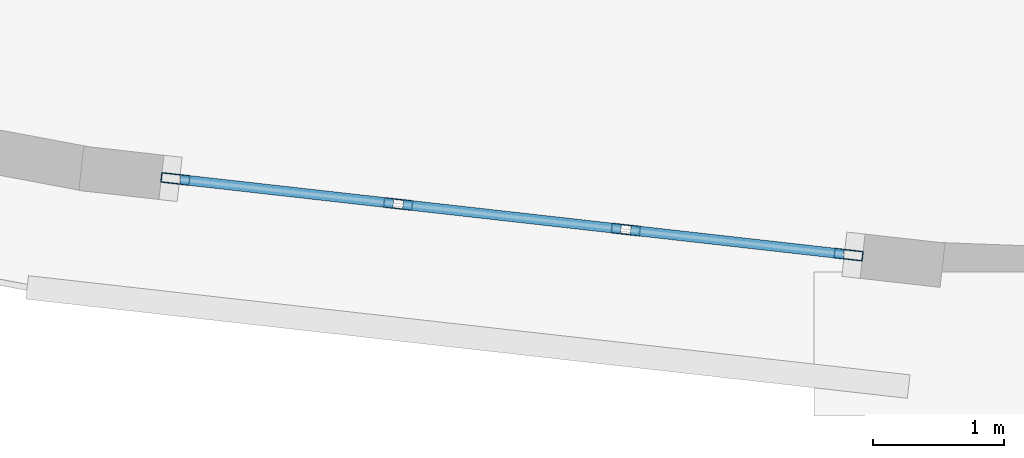
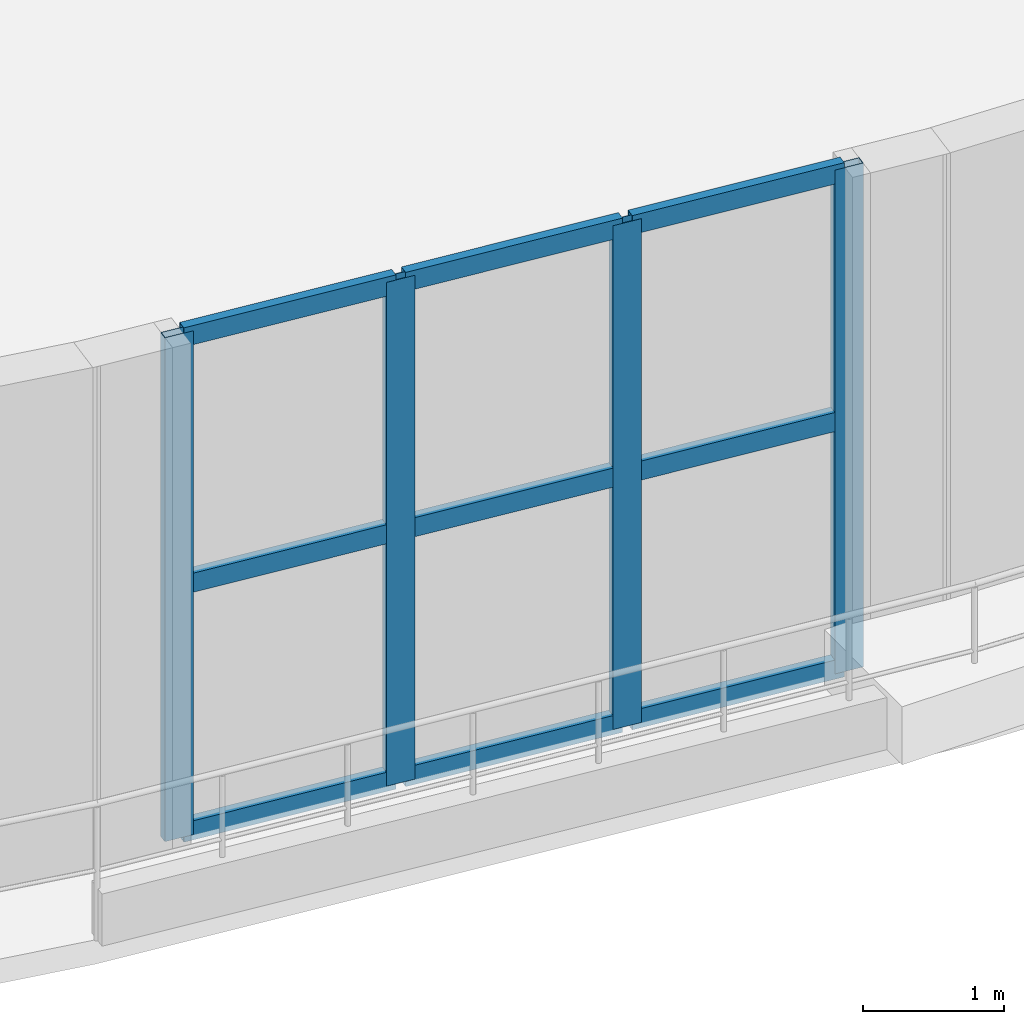
# One storey, part 4 of 19: 13 members, 1 element without a shape of its own.
"""IFC4 building model written with IfcOpenShell, lengths in metres."""

from ifc_helpers import new_model, si_unit, direction, frame, origin, origin_2d, place, context, subcontext, project, spatial, hollow_rectangle, extrude, material, layer, layer_set, material_profile, profile_set, type_object, element, aggregate, save


model = new_model("IFC4")

# Units and contexts
model_context = context("Model", 3, precision=1e-05, world=origin(), true_north=direction((0.0, 1.0)))
body_context = subcontext(model_context, "Body", "Model", "MODEL_VIEW")
ifc_project = project(units=[si_unit("LENGTHUNIT", "METRE"), si_unit("AREAUNIT", "SQUARE_METRE"), si_unit("VOLUMEUNIT", "CUBIC_METRE"), si_unit("PLANEANGLEUNIT", "RADIAN"), si_unit("MASSUNIT", "GRAM", prefix="KILO")], contexts=[model_context])

# Site, building, storey
site_placement = place(None, origin())
site = spatial("IfcSite", under=ifc_project, at=site_placement, CompositionType="ELEMENT")
building_placement = place(site_placement, origin())
building = spatial("IfcBuilding", under=site, at=building_placement, Name="Miruveldt Soraemaru", CompositionType="ELEMENT")
storey_placement = place(building_placement, frame((0.0, 0.0, 19.199951171875)))
storey = spatial("IfcBuildingStorey", under=building, at=storey_placement, Name="L05", CompositionType="ELEMENT", Elevation=19.199951171875)

# Curtain wall, members
ifc_material = material(Name="Anodised aluminium EN AW-6063 T6", Category="aluminium")
ifc_layer = layer(ifc_material, 0.219970703125, Name="Anodised aluminium EN AW-6063 T6", Category="aluminium")
ifc_layer_set = layer_set([ifc_layer], Name="Anodised aluminium EN AW-6063 T6")
curtain_wall_type = type_object("IfcCurtainWallType", Name="CW-SYS-2", PredefinedType="USERDEFINED", material=ifc_layer_set)
curtain_wall_placement = place(storey_placement, origin())
curtain_wall = element("IfcCurtainWall", 1, at=curtain_wall_placement, inside=storey, type_object=curtain_wall_type, Name="L05 Curtain Wall Bay 23", ObjectType="STOREFRONT", PredefinedType="USERDEFINED")
ifc_material_profile_1 = material_profile(ifc_material, hollow_rectangle(XDim=0.074951171875, YDim=0.219970703125, WallThickness=0.0048828125, at=origin_2d()), Name="Anodised aluminium EN AW-6063 T6", Category="aluminium")
ifc_profile_set_1 = profile_set([ifc_material_profile_1], Name="Anodised aluminium EN AW-6063 T6")
member_type_1 = type_object("IfcMemberType", Name="CWM-2", PredefinedType="MULLION", material=ifc_profile_set_1)
member_1_placement = place(storey_placement, frame((31.673828125, 17.989990234375, 0.0), z_axis=(0.0, 0.0, 1.0), x_axis=(0.111799714352, 0.993730760252, 0.0)))
member_1 = element("IfcMember", 2, at=member_1_placement, type_object=member_type_1, Name="CW-2 mullion 1", PredefinedType="MULLION", context=body_context, shape_type="SweptSolid", body=[
    extrude(hollow_rectangle(XDim=0.074951171875, YDim=0.219970703125, WallThickness=0.0048828125, at=origin_2d()), origin(), (0.0, 0.0, 1.0), 4.35009765625),
])
member_2_placement = place(storey_placement, frame((33.374267578125, 17.798583984375, 0.0), z_axis=(0.0, 0.0, 1.0), x_axis=(0.111799714352, 0.993730760252, 0.0)))
member_2 = element("IfcMember", 3, at=member_2_placement, type_object=member_type_1, Name="CW-2 mullion 2", PredefinedType="MULLION", context=body_context, shape_type="SweptSolid", body=[
    extrude(hollow_rectangle(XDim=0.074951171875, YDim=0.219970703125, WallThickness=0.0048828125, at=origin_2d()), origin(), (0.0, 0.0, 1.0), 4.35009765625),
])
member_3_placement = place(storey_placement, frame((35.11181640625, 17.603271484375, 0.0), z_axis=(0.0, 0.0, 1.0), x_axis=(0.111799714352, 0.993730760252, 0.0)))
member_3 = element("IfcMember", 4, at=member_3_placement, type_object=member_type_1, Name="CW-2 mullion 3", PredefinedType="MULLION", context=body_context, shape_type="SweptSolid", body=[
    extrude(hollow_rectangle(XDim=0.074951171875, YDim=0.219970703125, WallThickness=0.0048828125, at=origin_2d()), origin(), (0.0, 0.0, 1.0), 4.35009765625),
])
member_4_placement = place(storey_placement, frame((36.812255859375, 17.411865234375, 0.0), z_axis=(0.0, 0.0, 1.0), x_axis=(0.111799714352, 0.993730760252, 0.0)))
member_4 = element("IfcMember", 5, at=member_4_placement, type_object=member_type_1, Name="CW-2 mullion 4", PredefinedType="MULLION", context=body_context, shape_type="SweptSolid", body=[
    extrude(hollow_rectangle(XDim=0.074951171875, YDim=0.219970703125, WallThickness=0.0048828125, at=origin_2d()), origin(), (0.0, 0.0, 1.0), 4.35009765625),
])
ifc_material_profile_2 = material_profile(ifc_material, hollow_rectangle(XDim=0.074951171875, YDim=0.1650390625, WallThickness=0.00390625, at=origin_2d()), Name="Anodised aluminium EN AW-6063 T6", Category="aluminium")
ifc_profile_set_2 = profile_set([ifc_material_profile_2], Name="Anodised aluminium EN AW-6063 T6")
member_type_2 = type_object("IfcMemberType", Name="CWT-2", PredefinedType="USERDEFINED", material=ifc_profile_set_2)
member_5_placement = place(storey_placement, frame((31.7109375, 17.98583984375, 0.03759765625), z_axis=(0.993735459546, -0.111757936817, 0.0), x_axis=(0.111757936817, 0.993735459546, 0.0)))
member_5 = element("IfcMember", 6, at=member_5_placement, type_object=member_type_2, Name="CW-2 transom 1.1", ObjectType="TRANSOM", PredefinedType="USERDEFINED", context=body_context, shape_type="SweptSolid", body=[
    extrude(hollow_rectangle(XDim=0.074951171875, YDim=0.1650390625, WallThickness=0.00390625, at=origin_2d()), origin(), (0.0, 0.0, 1.0), 1.63623046875),
])
member_6_placement = place(storey_placement, frame((31.7109375, 17.98583984375, 2.175048828125), z_axis=(0.993735459546, -0.111757936817, 0.0), x_axis=(0.111757936817, 0.993735459546, 0.0)))
member_6 = element("IfcMember", 7, at=member_6_placement, type_object=member_type_2, Name="CW-2 transom 1.2", ObjectType="TRANSOM", PredefinedType="USERDEFINED", context=body_context, shape_type="SweptSolid", body=[
    extrude(hollow_rectangle(XDim=0.074951171875, YDim=0.1650390625, WallThickness=0.00390625, at=origin_2d()), origin(), (0.0, 0.0, 1.0), 1.63623046875),
])
member_7_placement = place(storey_placement, frame((31.7109375, 17.98583984375, 4.3125), z_axis=(0.993735459546, -0.111757936817, 0.0), x_axis=(0.111757936817, 0.993735459546, 0.0)))
member_7 = element("IfcMember", 8, at=member_7_placement, type_object=member_type_2, Name="CW-2 transom 1.3", ObjectType="TRANSOM", PredefinedType="USERDEFINED", context=body_context, shape_type="SweptSolid", body=[
    extrude(hollow_rectangle(XDim=0.074951171875, YDim=0.1650390625, WallThickness=0.00390625, at=origin_2d()), origin(), (0.0, 0.0, 1.0), 1.63623046875),
])
member_8_placement = place(storey_placement, frame((33.411376953125, 17.79443359375, 0.03759765625), z_axis=(0.993738808312, -0.11172815605, 0.0), x_axis=(0.11172815605, 0.993738808312, 0.0)))
member_8 = element("IfcMember", 9, at=member_8_placement, type_object=member_type_2, Name="CW-2 transom 2.1", ObjectType="TRANSOM", PredefinedType="USERDEFINED", context=body_context, shape_type="SweptSolid", body=[
    extrude(hollow_rectangle(XDim=0.074951171875, YDim=0.1650390625, WallThickness=0.00390625, at=origin_2d()), origin(), (0.0, 0.0, 1.0), 1.673828125),
])
member_9_placement = place(storey_placement, frame((33.411376953125, 17.79443359375, 2.175048828125), z_axis=(0.993738808312, -0.11172815605, 0.0), x_axis=(0.11172815605, 0.993738808312, 0.0)))
member_9 = element("IfcMember", 10, at=member_9_placement, type_object=member_type_2, Name="CW-2 transom 2.2", ObjectType="TRANSOM", PredefinedType="USERDEFINED", context=body_context, shape_type="SweptSolid", body=[
    extrude(hollow_rectangle(XDim=0.074951171875, YDim=0.1650390625, WallThickness=0.00390625, at=origin_2d()), origin(), (0.0, 0.0, 1.0), 1.673828125),
])
member_10_placement = place(storey_placement, frame((33.411376953125, 17.79443359375, 4.3125), z_axis=(0.993738808312, -0.11172815605, 0.0), x_axis=(0.11172815605, 0.993738808312, 0.0)))
member_10 = element("IfcMember", 11, at=member_10_placement, type_object=member_type_2, Name="CW-2 transom 2.3", ObjectType="TRANSOM", PredefinedType="USERDEFINED", context=body_context, shape_type="SweptSolid", body=[
    extrude(hollow_rectangle(XDim=0.074951171875, YDim=0.1650390625, WallThickness=0.00390625, at=origin_2d()), origin(), (0.0, 0.0, 1.0), 1.673828125),
])
member_11_placement = place(storey_placement, frame((35.149169921875, 17.59912109375, 0.03759765625), z_axis=(0.993718878013, -0.111905279056, 0.0), x_axis=(0.111905279056, 0.993718878013, 0.0)))
member_11 = element("IfcMember", 12, at=member_11_placement, type_object=member_type_2, Name="CW-2 transom 3.1", ObjectType="TRANSOM", PredefinedType="USERDEFINED", context=body_context, shape_type="SweptSolid", body=[
    extrude(hollow_rectangle(XDim=0.074951171875, YDim=0.1650390625, WallThickness=0.00390625, at=origin_2d()), origin(), (0.0, 0.0, 1.0), 1.63623046875),
])
member_12_placement = place(storey_placement, frame((35.149169921875, 17.59912109375, 2.175048828125), z_axis=(0.993718878013, -0.111905279056, 0.0), x_axis=(0.111905279056, 0.993718878013, 0.0)))
member_12 = element("IfcMember", 13, at=member_12_placement, type_object=member_type_2, Name="CW-2 transom 3.2", ObjectType="TRANSOM", PredefinedType="USERDEFINED", context=body_context, shape_type="SweptSolid", body=[
    extrude(hollow_rectangle(XDim=0.074951171875, YDim=0.1650390625, WallThickness=0.00390625, at=origin_2d()), origin(), (0.0, 0.0, 1.0), 1.63623046875),
])
member_13_placement = place(storey_placement, frame((35.149169921875, 17.59912109375, 4.3125), z_axis=(0.993718878013, -0.111905279056, 0.0), x_axis=(0.111905279056, 0.993718878013, 0.0)))
member_13 = element("IfcMember", 14, at=member_13_placement, type_object=member_type_2, Name="CW-2 transom 3.3", ObjectType="TRANSOM", PredefinedType="USERDEFINED", context=body_context, shape_type="SweptSolid", body=[
    extrude(hollow_rectangle(XDim=0.074951171875, YDim=0.1650390625, WallThickness=0.00390625, at=origin_2d()), origin(), (0.0, 0.0, 1.0), 1.63623046875),
])
aggregate(curtain_wall, [member_1, member_2, member_3, member_4, member_5, member_6, member_7, member_8, member_9, member_10, member_11, member_12, member_13])

save(model, "model.ifc")
